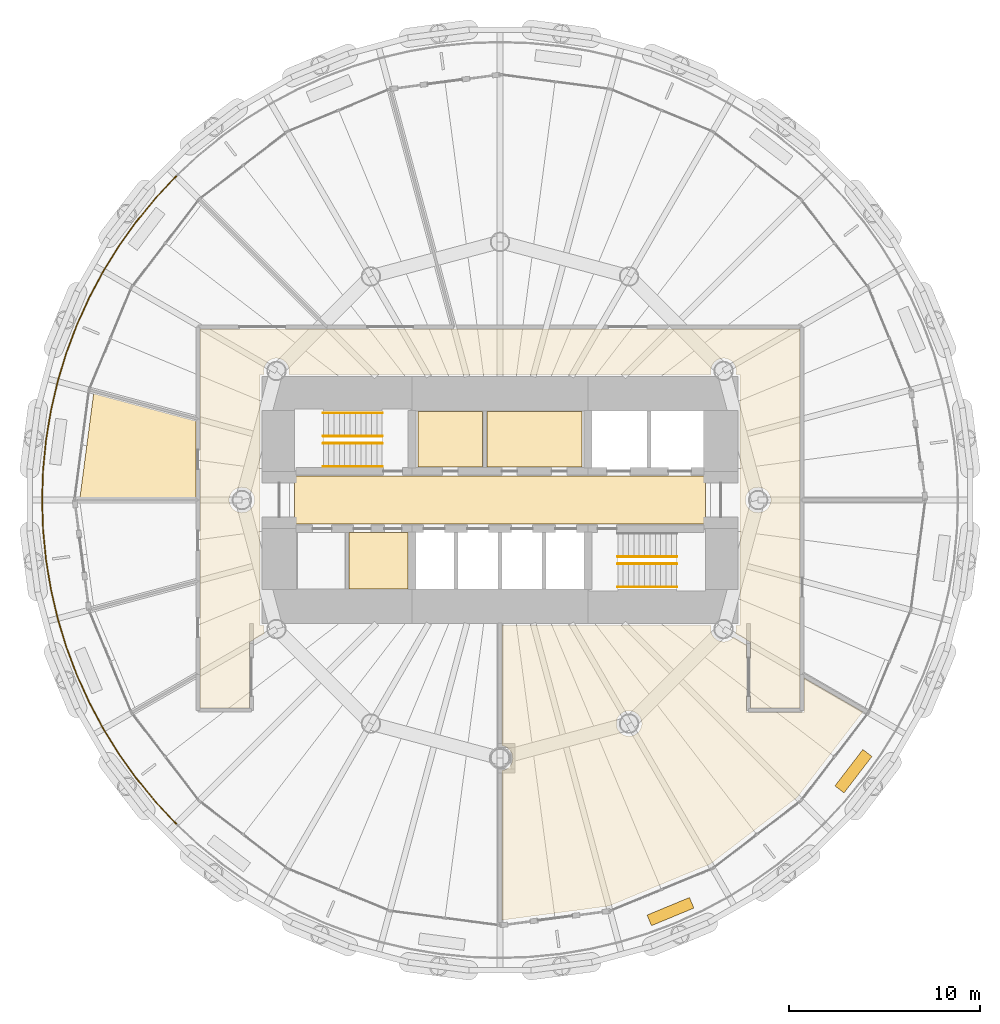
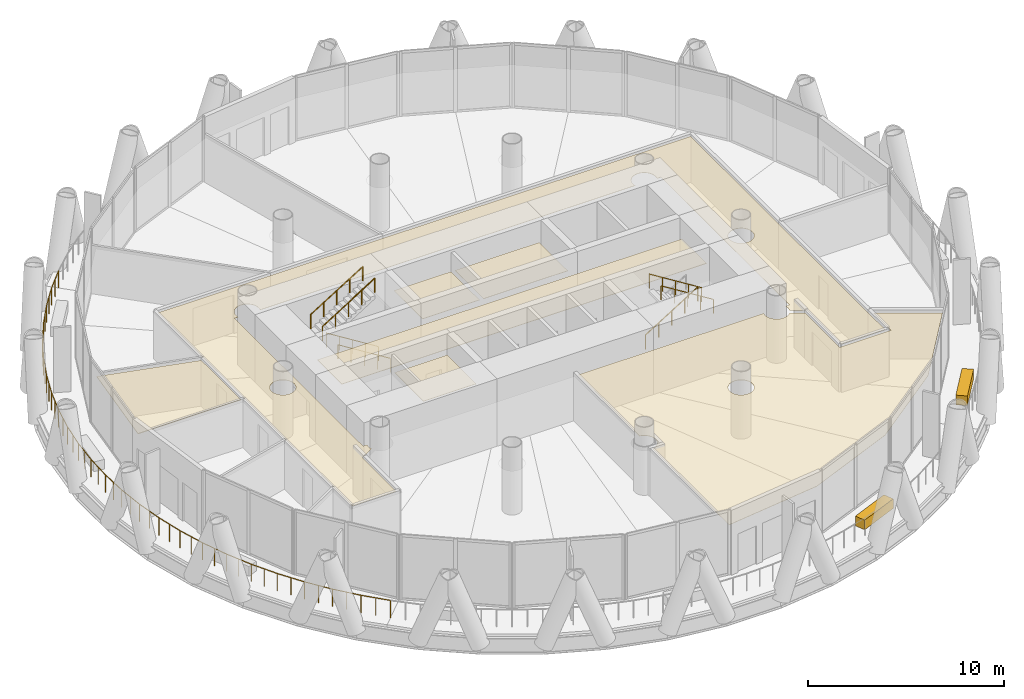
# One storey, part 13 of 15: 9 coverings, 8 railings.
"""IFC4 building model written with IfcOpenShell, lengths in metres."""

from ifc_helpers import new_model, si_unit, direction, frame, origin, origin_2d, place, context, subcontext, project, spatial, polyline, rectangle, circle, outline, extrude, material, layer, layer_set, type_object, element, save


model = new_model("IFC4")

# Units and contexts
model_context = context("Model", 3, precision=1e-05, world=origin(), true_north=direction((0.0, 1.0)))
body_context = subcontext(model_context, "Body", "Model", "MODEL_VIEW")
ifc_project = project(units=[si_unit("LENGTHUNIT", "METRE"), si_unit("AREAUNIT", "SQUARE_METRE"), si_unit("VOLUMEUNIT", "CUBIC_METRE"), si_unit("PLANEANGLEUNIT", "RADIAN"), si_unit("MASSUNIT", "GRAM", prefix="KILO")], contexts=[model_context])

# Site, building, storey
site_placement = place(None, origin())
site = spatial("IfcSite", under=ifc_project, at=site_placement, CompositionType="ELEMENT")
building_placement = place(site_placement, origin())
building = spatial("IfcBuilding", under=site, at=building_placement, Name="Qaws Media Tower", CompositionType="ELEMENT")
storey_placement = place(building_placement, frame((0.0, 0.0, 164.60009765625)))
storey = spatial("IfcBuildingStorey", under=building, at=storey_placement, Name="L37", CompositionType="ELEMENT", Elevation=164.60009765625)

# Covering
ifc_material_1 = material(Name="40 perforated acoustic panels with mineral wool backing, suspended", Category="mineral fibre")
ifc_layer_1 = layer(ifc_material_1, 0.0400390625)
ifc_layer_set_1 = layer_set([ifc_layer_1], Name="Acoustic panel ceiling 40")
covering_type_1 = type_object("IfcCoveringType", Name="Acoustic panel ceiling 40", PredefinedType="CEILING", material=ifc_layer_set_1)
covering_1_placement = place(storey_placement, frame((0.0, 0.0, 2.849853515625)))
element("IfcCovering", 1, at=covering_1_placement, inside=storey, type_object=covering_type_1, Name="CL3 ceiling L37-05 Interview room", PredefinedType="CEILING", context=body_context, shape_type="SweptSolid", body=[
    extrude(outline(polyline([(38.7490234375, 55.57763671875), (44.08740234375, 54.147216796875), (44.08740234375, 50.112548828125), (38.029541015625, 50.112548828125), (38.7490234375, 55.57763671875)])), origin(), (0.0, 0.0, 1.0), 0.0400390625),
])

# Railing
ifc_material_2 = material(Name="Stainless steel and glass guard", Category="steel")
railing_type_1 = type_object("IfcRailingType", Name="Balcony guard 1100", PredefinedType="GUARDRAIL", material=ifc_material_2)
railing_placement = place(storey_placement, frame((43.064697265625, 66.935302734375, 0.0)))
element("IfcRailing", 2, at=railing_placement, inside=storey, type_object=railing_type_1, Name="GR1 balcony guard L37-2", PredefinedType="GUARDRAIL", context=body_context, shape_type="SweptSolid", body=[
    extrude(circle(Radius=0.02392578125, at=origin_2d()), frame((0.0, 0.0, 1.076171875), z_axis=(-0.683516128369, -0.729935409649, 0.0), x_axis=(0.729935409649, -0.683516128369, 0.0)), (0.0, 0.0, 1.0), 1.5673828125),
    extrude(circle(Radius=0.02392578125, at=origin_2d()), frame((-1.0712890625, -1.14404296875, 1.076171875), z_axis=(-0.634373906107, -0.773026356116, 0.0), x_axis=(0.773026356116, -0.634373906107, 0.0)), (0.0, 0.0, 1.0), 1.567138671875),
    extrude(circle(Radius=0.02392578125, at=origin_2d()), frame((-2.0654296875, -2.35546875, 1.076171875), z_axis=(-0.582563534865, -0.812785167092, 0.0), x_axis=(0.812785167092, -0.582563534865, 0.0)), (0.0, 0.0, 1.0), 1.5673828125),
    extrude(circle(Radius=0.02392578125, at=origin_2d()), frame((-2.978515625, -3.62939453125, 1.076171875), z_axis=(-0.527994862412, -0.849247564181, 0.0), x_axis=(0.849247564181, -0.527994862412, 0.0)), (0.0, 0.0, 1.0), 1.567138671875),
    extrude(circle(Radius=0.02392578125, at=origin_2d()), frame((-3.805908203125, -4.960205078125, 1.076171875), z_axis=(-0.47134802653, -0.881947298815, 0.0), x_axis=(0.881947298815, -0.47134802653, 0.0)), (0.0, 0.0, 1.0), 1.5673828125),
    extrude(circle(Radius=0.02392578125, at=origin_2d()), frame((-4.544677734375, -6.342529296875, 1.076171875), z_axis=(-0.412805092431, -0.91081938696, 0.0), x_axis=(0.91081938696, -0.412805092431, 0.0)), (0.0, 0.0, 1.0), 1.567138671875),
    extrude(circle(Radius=0.02392578125, at=origin_2d()), frame((-5.191650390625, -7.77001953125, 1.076171875), z_axis=(-0.352215787853, -0.935918820618, 0.0), x_axis=(0.935918820618, -0.352215787853, 0.0)), (0.0, 0.0, 1.0), 1.567138671875),
    extrude(circle(Radius=0.02392578125, at=origin_2d()), frame((-5.74365234375, -9.23681640625, 1.076171875), z_axis=(-0.290361894495, -0.956916908736, 0.0), x_axis=(0.956916908736, -0.290361894495, 0.0)), (0.0, 0.0, 1.0), 1.5673828125),
    extrude(circle(Radius=0.02392578125, at=origin_2d()), frame((-6.19873046875, -10.736572265625, 1.076171875), z_axis=(-0.226963690422, -0.973903220669, 0.0), x_axis=(0.973903220669, -0.226963690422, 0.0)), (0.0, 0.0, 1.0), 1.5673828125),
    extrude(circle(Radius=0.02392578125, at=origin_2d()), frame((-6.554443359375, -12.262939453125, 1.076171875), z_axis=(-0.162958785639, -0.986632877104, 0.0), x_axis=(0.986632877104, -0.162958785639, 0.0)), (0.0, 0.0, 1.0), 1.567138671875),
    extrude(circle(Radius=0.02392578125, at=origin_2d()), frame((-6.809814453125, -13.80908203125, 1.076171875), z_axis=(-0.097976787054, -0.995188700297, 0.0), x_axis=(0.995188700297, -0.097976787054, 0.0)), (0.0, 0.0, 1.0), 1.5673828125),
    extrude(circle(Radius=0.02392578125, at=origin_2d()), frame((-6.96337890625, -15.368896484375, 1.076171875), z_axis=(-0.032713155255, -0.999464781507, 0.0), x_axis=(0.999464781507, -0.032713155255, 0.0)), (0.0, 0.0, 1.0), 1.567138671875),
    extrude(circle(Radius=0.02392578125, at=origin_2d()), frame((-7.0146484375, -16.935302734375, 1.076171875), z_axis=(0.032713155255, -0.999464781507, 0.0), x_axis=(0.999464781507, 0.032713155255, 0.0)), (0.0, 0.0, 1.0), 1.567138671875),
    extrude(circle(Radius=0.02392578125, at=origin_2d()), frame((-6.96337890625, -18.501708984375, 1.076171875), z_axis=(0.097976787054, -0.995188700297, 0.0), x_axis=(0.995188700297, 0.097976787054, 0.0)), (0.0, 0.0, 1.0), 1.5673828125),
    extrude(circle(Radius=0.02392578125, at=origin_2d()), frame((-6.809814453125, -20.0615234375, 1.076171875), z_axis=(0.162958785639, -0.986632877104, 0.0), x_axis=(0.986632877104, 0.162958785639, 0.0)), (0.0, 0.0, 1.0), 1.567138671875),
    extrude(circle(Radius=0.02392578125, at=origin_2d()), frame((-6.554443359375, -21.607666015625, 1.076171875), z_axis=(0.226963690422, -0.973903220669, 0.0), x_axis=(0.973903220669, 0.226963690422, 0.0)), (0.0, 0.0, 1.0), 1.5673828125),
    extrude(circle(Radius=0.02392578125, at=origin_2d()), frame((-6.19873046875, -23.134033203125, 1.076171875), z_axis=(0.290361894495, -0.956916908736, 0.0), x_axis=(0.956916908736, 0.290361894495, 0.0)), (0.0, 0.0, 1.0), 1.5673828125),
    extrude(circle(Radius=0.02392578125, at=origin_2d()), frame((-5.74365234375, -24.6337890625, 1.076171875), z_axis=(0.352215787853, -0.935918820618, 0.0), x_axis=(0.935918820618, 0.352215787853, 0.0)), (0.0, 0.0, 1.0), 1.567138671875),
    extrude(circle(Radius=0.02392578125, at=origin_2d()), frame((-5.191650390625, -26.1005859375, 1.076171875), z_axis=(0.412805092431, -0.91081938696, 0.0), x_axis=(0.91081938696, 0.412805092431, 0.0)), (0.0, 0.0, 1.0), 1.567138671875),
    extrude(circle(Radius=0.02392578125, at=origin_2d()), frame((-4.544677734375, -27.528076171875, 1.076171875), z_axis=(0.47134802653, -0.881947298815, 0.0), x_axis=(0.881947298815, 0.47134802653, 0.0)), (0.0, 0.0, 1.0), 1.5673828125),
    extrude(circle(Radius=0.02392578125, at=origin_2d()), frame((-3.805908203125, -28.910400390625, 1.076171875), z_axis=(0.527994862412, -0.849247564181, 0.0), x_axis=(0.849247564181, 0.527994862412, 0.0)), (0.0, 0.0, 1.0), 1.567138671875),
    extrude(circle(Radius=0.02392578125, at=origin_2d()), frame((-2.978515625, -30.2412109375, 1.076171875), z_axis=(0.582563534865, -0.812785167092, 0.0), x_axis=(0.812785167092, 0.582563534865, 0.0)), (0.0, 0.0, 1.0), 1.5673828125),
    extrude(circle(Radius=0.02392578125, at=origin_2d()), frame((-2.0654296875, -31.51513671875, 1.076171875), z_axis=(0.634373906107, -0.773026356116, 0.0), x_axis=(0.773026356116, 0.634373906107, 0.0)), (0.0, 0.0, 1.0), 1.567138671875),
    extrude(circle(Radius=0.02392578125, at=origin_2d()), frame((-1.0712890625, -32.7265625, 1.076171875), z_axis=(0.683516128369, -0.729935409649, 0.0), x_axis=(0.729935409649, 0.683516128369, 0.0)), (0.0, 0.0, 1.0), 1.5673828125),
    extrude(circle(Radius=0.02099609375, at=origin_2d()), origin(), (0.0, 0.0, 1.0), 1.052001953125),
    extrude(circle(Radius=0.02099609375, at=origin_2d()), frame((-0.53564453125, -0.572021484375, 0.0)), (0.0, 0.0, 1.0), 1.052001953125),
    extrude(circle(Radius=0.02099609375, at=origin_2d()), frame((-1.0712890625, -1.14404296875, 0.0)), (0.0, 0.0, 1.0), 1.052001953125),
    extrude(circle(Radius=0.02099609375, at=origin_2d()), frame((-1.568359375, -1.749755859375, 0.0)), (0.0, 0.0, 1.0), 1.052001953125),
    extrude(circle(Radius=0.02099609375, at=origin_2d()), frame((-2.0654296875, -2.35546875, 0.0)), (0.0, 0.0, 1.0), 1.052001953125),
    extrude(circle(Radius=0.02099609375, at=origin_2d()), frame((-2.52197265625, -2.992431640625, 0.0)), (0.0, 0.0, 1.0), 1.052001953125),
    extrude(circle(Radius=0.02099609375, at=origin_2d()), frame((-2.978515625, -3.62939453125, 0.0)), (0.0, 0.0, 1.0), 1.052001953125),
    extrude(circle(Radius=0.02099609375, at=origin_2d()), frame((-3.39208984375, -4.294921875, 0.0)), (0.0, 0.0, 1.0), 1.052001953125),
    extrude(circle(Radius=0.02099609375, at=origin_2d()), frame((-3.805908203125, -4.960205078125, 0.0)), (0.0, 0.0, 1.0), 1.052001953125),
    extrude(circle(Radius=0.02099609375, at=origin_2d()), frame((-4.17529296875, -5.6513671875, 0.0)), (0.0, 0.0, 1.0), 1.052001953125),
    extrude(circle(Radius=0.02099609375, at=origin_2d()), frame((-4.544677734375, -6.342529296875, 0.0)), (0.0, 0.0, 1.0), 1.052001953125),
    extrude(circle(Radius=0.02099609375, at=origin_2d()), frame((-4.8681640625, -7.05615234375, 0.0)), (0.0, 0.0, 1.0), 1.052001953125),
    extrude(circle(Radius=0.02099609375, at=origin_2d()), frame((-5.191650390625, -7.77001953125, 0.0)), (0.0, 0.0, 1.0), 1.052001953125),
    extrude(circle(Radius=0.02099609375, at=origin_2d()), frame((-5.4677734375, -8.50341796875, 0.0)), (0.0, 0.0, 1.0), 1.052001953125),
    extrude(circle(Radius=0.02099609375, at=origin_2d()), frame((-5.74365234375, -9.23681640625, 0.0)), (0.0, 0.0, 1.0), 1.052001953125),
    extrude(circle(Radius=0.02099609375, at=origin_2d()), frame((-5.97119140625, -9.98681640625, 0.0)), (0.0, 0.0, 1.0), 1.052001953125),
    extrude(circle(Radius=0.02099609375, at=origin_2d()), frame((-6.19873046875, -10.736572265625, 0.0)), (0.0, 0.0, 1.0), 1.052001953125),
    extrude(circle(Radius=0.02099609375, at=origin_2d()), frame((-6.37646484375, -11.499755859375, 0.0)), (0.0, 0.0, 1.0), 1.052001953125),
    extrude(circle(Radius=0.02099609375, at=origin_2d()), frame((-6.554443359375, -12.262939453125, 0.0)), (0.0, 0.0, 1.0), 1.052001953125),
    extrude(circle(Radius=0.02099609375, at=origin_2d()), frame((-6.68212890625, -13.0361328125, 0.0)), (0.0, 0.0, 1.0), 1.052001953125),
    extrude(circle(Radius=0.02099609375, at=origin_2d()), frame((-6.809814453125, -13.80908203125, 0.0)), (0.0, 0.0, 1.0), 1.052001953125),
    extrude(circle(Radius=0.02099609375, at=origin_2d()), frame((-6.88671875, -14.5888671875, 0.0)), (0.0, 0.0, 1.0), 1.052001953125),
    extrude(circle(Radius=0.02099609375, at=origin_2d()), frame((-6.96337890625, -15.368896484375, 0.0)), (0.0, 0.0, 1.0), 1.052001953125),
    extrude(circle(Radius=0.02099609375, at=origin_2d()), frame((-6.989013671875, -16.152099609375, 0.0)), (0.0, 0.0, 1.0), 1.052001953125),
    extrude(circle(Radius=0.02099609375, at=origin_2d()), frame((-7.0146484375, -16.935302734375, 0.0)), (0.0, 0.0, 1.0), 1.052001953125),
    extrude(circle(Radius=0.02099609375, at=origin_2d()), frame((-6.989013671875, -17.718505859375, 0.0)), (0.0, 0.0, 1.0), 1.052001953125),
    extrude(circle(Radius=0.02099609375, at=origin_2d()), frame((-6.96337890625, -18.501708984375, 0.0)), (0.0, 0.0, 1.0), 1.052001953125),
    extrude(circle(Radius=0.02099609375, at=origin_2d()), frame((-6.88671875, -19.28173828125, 0.0)), (0.0, 0.0, 1.0), 1.052001953125),
    extrude(circle(Radius=0.02099609375, at=origin_2d()), frame((-6.809814453125, -20.0615234375, 0.0)), (0.0, 0.0, 1.0), 1.052001953125),
    extrude(circle(Radius=0.02099609375, at=origin_2d()), frame((-6.68212890625, -20.83447265625, 0.0)), (0.0, 0.0, 1.0), 1.052001953125),
    extrude(circle(Radius=0.02099609375, at=origin_2d()), frame((-6.554443359375, -21.607666015625, 0.0)), (0.0, 0.0, 1.0), 1.052001953125),
    extrude(circle(Radius=0.02099609375, at=origin_2d()), frame((-6.37646484375, -22.370849609375, 0.0)), (0.0, 0.0, 1.0), 1.052001953125),
    extrude(circle(Radius=0.02099609375, at=origin_2d()), frame((-6.19873046875, -23.134033203125, 0.0)), (0.0, 0.0, 1.0), 1.052001953125),
    extrude(circle(Radius=0.02099609375, at=origin_2d()), frame((-5.97119140625, -23.8837890625, 0.0)), (0.0, 0.0, 1.0), 1.052001953125),
    extrude(circle(Radius=0.02099609375, at=origin_2d()), frame((-5.74365234375, -24.6337890625, 0.0)), (0.0, 0.0, 1.0), 1.052001953125),
    extrude(circle(Radius=0.02099609375, at=origin_2d()), frame((-5.4677734375, -25.3671875, 0.0)), (0.0, 0.0, 1.0), 1.052001953125),
    extrude(circle(Radius=0.02099609375, at=origin_2d()), frame((-5.191650390625, -26.1005859375, 0.0)), (0.0, 0.0, 1.0), 1.052001953125),
    extrude(circle(Radius=0.02099609375, at=origin_2d()), frame((-4.8681640625, -26.814453125, 0.0)), (0.0, 0.0, 1.0), 1.052001953125),
    extrude(circle(Radius=0.02099609375, at=origin_2d()), frame((-4.544677734375, -27.528076171875, 0.0)), (0.0, 0.0, 1.0), 1.052001953125),
    extrude(circle(Radius=0.02099609375, at=origin_2d()), frame((-4.17529296875, -28.21923828125, 0.0)), (0.0, 0.0, 1.0), 1.052001953125),
    extrude(circle(Radius=0.02099609375, at=origin_2d()), frame((-3.805908203125, -28.910400390625, 0.0)), (0.0, 0.0, 1.0), 1.052001953125),
    extrude(circle(Radius=0.02099609375, at=origin_2d()), frame((-3.39208984375, -29.57568359375, 0.0)), (0.0, 0.0, 1.0), 1.052001953125),
    extrude(circle(Radius=0.02099609375, at=origin_2d()), frame((-2.978515625, -30.2412109375, 0.0)), (0.0, 0.0, 1.0), 1.052001953125),
    extrude(circle(Radius=0.02099609375, at=origin_2d()), frame((-2.52197265625, -30.878173828125, 0.0)), (0.0, 0.0, 1.0), 1.052001953125),
    extrude(circle(Radius=0.02099609375, at=origin_2d()), frame((-2.0654296875, -31.51513671875, 0.0)), (0.0, 0.0, 1.0), 1.052001953125),
    extrude(circle(Radius=0.02099609375, at=origin_2d()), frame((-1.568359375, -32.120849609375, 0.0)), (0.0, 0.0, 1.0), 1.052001953125),
    extrude(circle(Radius=0.02099609375, at=origin_2d()), frame((-1.0712890625, -32.7265625, 0.0)), (0.0, 0.0, 1.0), 1.052001953125),
    extrude(circle(Radius=0.02099609375, at=origin_2d()), frame((-0.53564453125, -33.298583984375, 0.0)), (0.0, 0.0, 1.0), 1.052001953125),
    extrude(circle(Radius=0.02099609375, at=origin_2d()), frame((0.0, -33.87060546875, 0.0)), (0.0, 0.0, 1.0), 1.052001953125),
])

# Coverings
ifc_material_3 = material(Name="600 x 600 mineral fibre tiles in exposed grid, suspended", Category="mineral fibre")
ifc_layer_2 = layer(ifc_material_3, 0.02001953125)
ifc_layer_set_2 = layer_set([ifc_layer_2], Name="Mineral fibre tile ceiling 20")
covering_type_2 = type_object("IfcCoveringType", Name="Mineral fibre tile ceiling 20", PredefinedType="CEILING", material=ifc_layer_set_2)
covering_2_placement = place(storey_placement, frame((0.0, 0.0, 2.849853515625)))
element("IfcCovering", 3, at=covering_2_placement, inside=storey, type_object=covering_type_2, Name="CL1 ceiling L37-C07 Ladies toilets", PredefinedType="CEILING", context=body_context, shape_type="SweptSolid", body=[
    extrude(outline(polyline([(55.719970703125, 51.719970703125), (55.719970703125, 54.6298828125), (59.080078125, 54.6298828125), (59.080078125, 51.719970703125), (55.719970703125, 51.719970703125)])), origin(), (0.0, 0.0, 1.0), 0.02001953125),
])
covering_3_placement = place(storey_placement, frame((0.0, 0.0, 2.849853515625)))
element("IfcCovering", 4, at=covering_3_placement, inside=storey, type_object=covering_type_2, Name="CL1 ceiling L37-C08 Gents toilets", PredefinedType="CEILING", context=body_context, shape_type="SweptSolid", body=[
    extrude(outline(polyline([(59.320068359375, 51.719970703125), (59.320068359375, 54.6298828125), (64.280029296875, 54.6298828125), (64.280029296875, 51.719970703125), (59.320068359375, 51.719970703125)])), origin(), (0.0, 0.0, 1.0), 0.02001953125),
])
covering_4_placement = place(storey_placement, frame((0.0, 0.0, 2.849853515625)))
element("IfcCovering", 5, at=covering_4_placement, inside=storey, type_object=covering_type_2, Name="CL1 ceiling L37-01 Corridor", PredefinedType="CEILING", context=body_context, shape_type="SweptSolid", body=[
    extrude(outline(polyline([(44.3125, 39.112548828125), (44.3125, 58.9375), (75.6875, 58.9375), (75.6875, 39.112548828125), (73.112548828125, 39.112548828125), (73.112548828125, 42.559326171875), (72.31689453125, 43.018798828125), (72.336669921875, 43.0771484375), (72.353515625, 43.162841796875), (72.359375, 43.25), (72.353515625, 43.337158203125), (72.336669921875, 43.4228515625), (72.33154296875, 43.4375), (72.5625, 43.4375), (72.5625, 56.5625), (72.33154296875, 56.5625), (72.336669921875, 56.5771484375), (72.353515625, 56.662841796875), (72.359375, 56.75), (72.353515625, 56.837158203125), (72.336669921875, 56.9228515625), (72.30859375, 57.005615234375), (72.269775390625, 57.083984375), (72.22119140625, 57.15673828125), (72.163818359375, 57.222412109375), (72.097900390625, 57.280029296875), (72.025390625, 57.32861328125), (71.947021484375, 57.3671875), (71.8642578125, 57.395263671875), (71.778564453125, 57.412353515625), (71.69140625, 57.41796875), (71.604248046875, 57.412353515625), (71.5185546875, 57.395263671875), (71.435791015625, 57.3671875), (71.357421875, 57.32861328125), (71.28466796875, 57.280029296875), (71.218994140625, 57.222412109375), (71.161376953125, 57.15673828125), (71.11279296875, 57.083984375), (71.07421875, 57.005615234375), (71.046142578125, 56.9228515625), (71.029052734375, 56.837158203125), (71.023193359375, 56.75), (71.029052734375, 56.662841796875), (71.046142578125, 56.5771484375), (71.051025390625, 56.5625), (48.948974609375, 56.5625), (48.953857421875, 56.5771484375), (48.970947265625, 56.662841796875), (48.976806640625, 56.75), (48.970947265625, 56.837158203125), (48.953857421875, 56.9228515625), (48.92578125, 57.005615234375), (48.88720703125, 57.083984375), (48.838623046875, 57.15673828125), (48.781005859375, 57.222412109375), (48.71533203125, 57.280029296875), (48.642578125, 57.32861328125), (48.564208984375, 57.3671875), (48.4814453125, 57.395263671875), (48.395751953125, 57.412353515625), (48.30859375, 57.41796875), (48.221435546875, 57.412353515625), (48.1357421875, 57.395263671875), (48.052978515625, 57.3671875), (47.974609375, 57.32861328125), (47.902099609375, 57.280029296875), (47.836181640625, 57.222412109375), (47.77880859375, 57.15673828125), (47.730224609375, 57.083984375), (47.69140625, 57.005615234375), (47.663330078125, 56.9228515625), (47.646484375, 56.837158203125), (47.640625, 56.75), (47.646484375, 56.662841796875), (47.663330078125, 56.5771484375), (47.66845703125, 56.5625), (47.4375, 56.5625), (47.4375, 43.4375), (47.66845703125, 43.4375), (47.663330078125, 43.4228515625), (47.646484375, 43.337158203125), (47.640625, 43.25), (47.646484375, 43.162841796875), (47.663330078125, 43.0771484375), (47.68310546875, 43.018798828125), (46.887451171875, 42.559326171875), (46.887451171875, 39.112548828125), (44.3125, 39.112548828125)]), holes=[polyline([(47.1171875, 49.744384765625), (47.145263671875, 49.8271484375), (47.162353515625, 49.912841796875), (47.16796875, 50.0), (47.162353515625, 50.087158203125), (47.145263671875, 50.1728515625), (47.1171875, 50.255615234375), (47.07861328125, 50.333984375), (47.030029296875, 50.40673828125), (46.972412109375, 50.472412109375), (46.90673828125, 50.530029296875), (46.833984375, 50.57861328125), (46.755615234375, 50.6171875), (46.6728515625, 50.645263671875), (46.587158203125, 50.662353515625), (46.5, 50.66796875), (46.412841796875, 50.662353515625), (46.3271484375, 50.645263671875), (46.244384765625, 50.6171875), (46.166015625, 50.57861328125), (46.09326171875, 50.530029296875), (46.027587890625, 50.472412109375), (45.969970703125, 50.40673828125), (45.92138671875, 50.333984375), (45.8828125, 50.255615234375), (45.854736328125, 50.1728515625), (45.837646484375, 50.087158203125), (45.83203125, 50.0), (45.837646484375, 49.912841796875), (45.854736328125, 49.8271484375), (45.8828125, 49.744384765625), (45.92138671875, 49.666015625), (45.969970703125, 49.59326171875), (46.027587890625, 49.527587890625), (46.09326171875, 49.469970703125), (46.166015625, 49.42138671875), (46.244384765625, 49.3828125), (46.3271484375, 49.354736328125), (46.412841796875, 49.337646484375), (46.5, 49.33203125), (46.587158203125, 49.337646484375), (46.6728515625, 49.354736328125), (46.755615234375, 49.3828125), (46.833984375, 49.42138671875), (46.90673828125, 49.469970703125), (46.972412109375, 49.527587890625), (47.030029296875, 49.59326171875), (47.07861328125, 49.666015625), (47.1171875, 49.744384765625)]), polyline([(74.145263671875, 49.8271484375), (74.162353515625, 49.912841796875), (74.16796875, 50.0), (74.162353515625, 50.087158203125), (74.145263671875, 50.1728515625), (74.1171875, 50.255615234375), (74.07861328125, 50.333984375), (74.030029296875, 50.40673828125), (73.972412109375, 50.472412109375), (73.90673828125, 50.530029296875), (73.833984375, 50.57861328125), (73.755615234375, 50.6171875), (73.6728515625, 50.645263671875), (73.587158203125, 50.662353515625), (73.5, 50.66796875), (73.412841796875, 50.662353515625), (73.3271484375, 50.645263671875), (73.244384765625, 50.6171875), (73.166015625, 50.57861328125), (73.09326171875, 50.530029296875), (73.027587890625, 50.472412109375), (72.969970703125, 50.40673828125), (72.92138671875, 50.333984375), (72.8828125, 50.255615234375), (72.854736328125, 50.1728515625), (72.837646484375, 50.087158203125), (72.83203125, 50.0), (72.837646484375, 49.912841796875), (72.854736328125, 49.8271484375), (72.8828125, 49.744384765625), (72.92138671875, 49.666015625), (72.969970703125, 49.59326171875), (73.027587890625, 49.527587890625), (73.09326171875, 49.469970703125), (73.166015625, 49.42138671875), (73.244384765625, 49.3828125), (73.3271484375, 49.354736328125), (73.412841796875, 49.337646484375), (73.5, 49.33203125), (73.587158203125, 49.337646484375), (73.6728515625, 49.354736328125), (73.755615234375, 49.3828125), (73.833984375, 49.42138671875), (73.90673828125, 49.469970703125), (73.972412109375, 49.527587890625), (74.030029296875, 49.59326171875), (74.07861328125, 49.666015625), (74.1171875, 49.744384765625), (74.145263671875, 49.8271484375)])]), origin(), (0.0, 0.0, 1.0), 0.02001953125),
])
covering_5_placement = place(storey_placement, frame((0.0, 0.0, 2.849853515625)))
element("IfcCovering", 6, at=covering_5_placement, inside=storey, type_object=covering_type_2, Name="CL1 ceiling L37-09 HR office", PredefinedType="CEILING", context=body_context, shape_type="SweptSolid", body=[
    extrude(outline(polyline([(72.887451171875, 38.887451171875), (75.91259765625, 38.887451171875), (75.91259765625, 40.68310546875), (78.970703125, 38.91748046875), (75.5458984375, 34.4541015625), (70.99267578125, 30.960205078125), (65.690185546875, 28.763916015625), (60.112548828125, 28.029541015625), (60.112548828125, 35.8427734375), (60.1728515625, 35.854736328125), (60.255615234375, 35.8828125), (60.333984375, 35.92138671875), (60.40673828125, 35.969970703125), (60.472412109375, 36.027587890625), (60.530029296875, 36.09326171875), (60.57861328125, 36.166015625), (60.6171875, 36.244384765625), (60.645263671875, 36.3271484375), (60.662353515625, 36.412841796875), (60.66796875, 36.5), (60.662353515625, 36.587158203125), (60.645263671875, 36.6728515625), (60.6171875, 36.755615234375), (60.57861328125, 36.833984375), (60.530029296875, 36.90673828125), (60.472412109375, 36.972412109375), (60.40673828125, 37.030029296875), (60.333984375, 37.07861328125), (60.255615234375, 37.1171875), (60.1728515625, 37.145263671875), (60.112548828125, 37.1572265625), (60.112548828125, 43.4375), (71.051025390625, 43.4375), (71.046142578125, 43.4228515625), (71.029052734375, 43.337158203125), (71.023193359375, 43.25), (71.029052734375, 43.162841796875), (71.046142578125, 43.0771484375), (71.07421875, 42.994384765625), (71.11279296875, 42.916015625), (71.161376953125, 42.84326171875), (71.218994140625, 42.777587890625), (71.28466796875, 42.719970703125), (71.357421875, 42.67138671875), (71.435791015625, 42.6328125), (71.5185546875, 42.604736328125), (71.604248046875, 42.587646484375), (71.69140625, 42.58203125), (71.778564453125, 42.587646484375), (71.8642578125, 42.604736328125), (71.947021484375, 42.6328125), (72.025390625, 42.67138671875), (72.097900390625, 42.719970703125), (72.163818359375, 42.777587890625), (72.204345703125, 42.823974609375), (72.887451171875, 42.429443359375), (72.887451171875, 38.887451171875)]), holes=[polyline([(67.3671875, 38.052978515625), (67.395263671875, 38.1357421875), (67.412353515625, 38.221435546875), (67.41796875, 38.30859375), (67.412353515625, 38.395751953125), (67.395263671875, 38.4814453125), (67.3671875, 38.564208984375), (67.32861328125, 38.642578125), (67.280029296875, 38.71533203125), (67.222412109375, 38.781005859375), (67.15673828125, 38.838623046875), (67.083984375, 38.88720703125), (67.005615234375, 38.92578125), (66.9228515625, 38.953857421875), (66.837158203125, 38.970947265625), (66.75, 38.976806640625), (66.662841796875, 38.970947265625), (66.5771484375, 38.953857421875), (66.494384765625, 38.92578125), (66.416015625, 38.88720703125), (66.34326171875, 38.838623046875), (66.277587890625, 38.781005859375), (66.219970703125, 38.71533203125), (66.17138671875, 38.642578125), (66.1328125, 38.564208984375), (66.104736328125, 38.4814453125), (66.087646484375, 38.395751953125), (66.08203125, 38.30859375), (66.087646484375, 38.221435546875), (66.104736328125, 38.1357421875), (66.1328125, 38.052978515625), (66.17138671875, 37.974609375), (66.219970703125, 37.902099609375), (66.277587890625, 37.836181640625), (66.34326171875, 37.77880859375), (66.416015625, 37.730224609375), (66.494384765625, 37.69140625), (66.5771484375, 37.663330078125), (66.662841796875, 37.646484375), (66.75, 37.640625), (66.837158203125, 37.646484375), (66.9228515625, 37.663330078125), (67.005615234375, 37.69140625), (67.083984375, 37.730224609375), (67.15673828125, 37.77880859375), (67.222412109375, 37.836181640625), (67.280029296875, 37.902099609375), (67.32861328125, 37.974609375), (67.3671875, 38.052978515625)])]), origin(), (0.0, 0.0, 1.0), 0.02001953125),
])
covering_6_placement = place(storey_placement, frame((0.0, 0.0, 2.849853515625)))
element("IfcCovering", 7, at=covering_6_placement, inside=storey, type_object=covering_type_2, Name="CL1 ceiling L37-C05 Shower room", PredefinedType="CEILING", context=body_context, shape_type="SweptSolid", body=[
    extrude(outline(polyline([(52.10009765625, 45.35009765625), (52.10009765625, 48.300048828125), (55.199951171875, 48.300048828125), (55.199951171875, 45.35009765625), (52.10009765625, 45.35009765625)])), origin(), (0.0, 0.0, 1.0), 0.02001953125),
])
ifc_material_4 = material(Name="Precast concrete planter with trailing planting", Category="concrete")
ifc_layer_3 = layer(ifc_material_4, 0.60009765625)
ifc_layer_set_3 = layer_set([ifc_layer_3], Name="Planter 2400x600")
covering_type_3 = type_object("IfcCoveringType", Name="Planter 2400x600", PredefinedType="USERDEFINED", material=ifc_layer_set_3)
for number, where, z_axis, x_axis, name in (
    (8, (68.91650390625, 28.4736328125, -0.000244140625), (0.0, 0.0, 1.0), (0.923879532511, 0.382683432365, 0.0), "PL1 balcony planter L37-10"),
    (9, (78.485107421875, 35.81591796875, -0.000244140625), (0.0, 0.0, 1.0), (0.608761429009, 0.793353340291, 0.0), "PL1 balcony planter L37-11"),
):
    element("IfcCovering", number, at=place(storey_placement, frame(where, z_axis=z_axis, x_axis=x_axis)), inside=storey, type_object=covering_type_3, Name=name, ObjectType="PLANTER", PredefinedType="USERDEFINED", context=body_context, shape_type="SweptSolid", body=[
        extrude(rectangle(XDim=2.39990234375, YDim=0.60009765625, at=origin_2d()), origin(), (0.0, 0.0, 1.0), 0.60009765625),
    ])
ifc_material_5 = material(Name="Two layers 12.5 moisture-resistant plasterboard on suspended metal furring", Category="gypsum")
ifc_layer_4 = layer(ifc_material_5, 0.02490234375)
ifc_layer_set_4 = layer_set([ifc_layer_4], Name="Plasterboard ceiling 25")
covering_type_4 = type_object("IfcCoveringType", Name="Plasterboard ceiling 25", PredefinedType="CEILING", material=ifc_layer_set_4)
covering_7_placement = place(storey_placement, frame((0.0, 0.0, 2.849853515625)))
element("IfcCovering", 10, at=covering_7_placement, inside=storey, type_object=covering_type_4, Name="CL2 ceiling L37-C01 Lift lobby", PredefinedType="CEILING", context=body_context, shape_type="SweptSolid", body=[
    extrude(outline(polyline([(49.25, 48.75), (49.25, 51.25), (70.75, 51.25), (70.75, 48.75), (49.25, 48.75)])), origin(), (0.0, 0.0, 1.0), 0.025146484375),
])

# Railings
ifc_material_6 = material(Name="Steel tube handrail", Category="steel")
railing_type_2 = type_object("IfcRailingType", Name="Stair handrail 900", PredefinedType="HANDRAIL", material=ifc_material_6)
for number, where, name in (
    (11, (53.840087890625, 51.75, 0.1748046875), "HR1 handrail S1 flight 1 L37"),
    (12, (53.840087890625, 52.9599609375, 0.1748046875), "HR1 handrail S1 flight 1 L37"),
):
    element("IfcRailing", number, at=place(storey_placement, frame(where)), inside=storey, type_object=railing_type_2, Name=name, PredefinedType="HANDRAIL", context=body_context, shape_type="SweptSolid", body=[
        extrude(circle(Radius=0.02392578125, at=origin_2d()), frame((0.0, 0.0, 0.8759765625), z_axis=(-0.847998304005, 0.0, 0.529998940003), x_axis=(0.0, -1.0, 0.0)), (0.0, 0.0, 1.0), 3.632080078125),
        extrude(circle(Radius=0.02099609375, at=origin_2d()), origin(), (0.0, 0.0, 1.0), 0.851806640625),
        extrude(circle(Radius=0.02099609375, at=origin_2d()), frame((-0.77001953125, 0.0, 0.481201171875)), (0.0, 0.0, 1.0), 0.851806640625),
        extrude(circle(Radius=0.02099609375, at=origin_2d()), frame((-1.5400390625, 0.0, 0.96240234375)), (0.0, 0.0, 1.0), 0.851806640625),
        extrude(circle(Radius=0.02099609375, at=origin_2d()), frame((-2.31005859375, 0.0, 1.44384765625)), (0.0, 0.0, 1.0), 0.851806640625),
        extrude(circle(Radius=0.02099609375, at=origin_2d()), frame((-3.080078125, 0.0, 1.925048828125)), (0.0, 0.0, 1.0), 0.851806640625),
    ])
for number, where, name in (
    (13, (50.760009765625, 54.550048828125, 2.27490234375), "HR1 handrail S1 flight 2 L37"),
    (14, (50.760009765625, 53.340087890625, 2.27490234375), "HR1 handrail S1 flight 2 L37"),
    (15, (66.159912109375, 47.0400390625, 0.1748046875), "HR1 handrail S2 flight 1 L37"),
):
    element("IfcRailing", number, at=place(storey_placement, frame(where)), inside=storey, type_object=railing_type_2, Name=name, PredefinedType="HANDRAIL", context=body_context, shape_type="SweptSolid", body=[
        extrude(circle(Radius=0.02392578125, at=origin_2d()), frame((0.0, 0.0, 0.8759765625), z_axis=(0.847998304005, 0.0, 0.529998940003), x_axis=(0.0, 1.0, 0.0)), (0.0, 0.0, 1.0), 3.632080078125),
        extrude(circle(Radius=0.02099609375, at=origin_2d()), origin(), (0.0, 0.0, 1.0), 0.851806640625),
        extrude(circle(Radius=0.02099609375, at=origin_2d()), frame((0.77001953125, 0.0, 0.481201171875)), (0.0, 0.0, 1.0), 0.851806640625),
        extrude(circle(Radius=0.02099609375, at=origin_2d()), frame((1.5400390625, 0.0, 0.96240234375)), (0.0, 0.0, 1.0), 0.851806640625),
        extrude(circle(Radius=0.02099609375, at=origin_2d()), frame((2.31005859375, 0.0, 1.44384765625)), (0.0, 0.0, 1.0), 0.851806640625),
        extrude(circle(Radius=0.02099609375, at=origin_2d()), frame((3.080078125, 0.0, 1.925048828125)), (0.0, 0.0, 1.0), 0.851806640625),
    ])
for number, where, name in (
    (16, (69.239990234375, 45.449951171875, 2.27490234375), "HR1 handrail S2 flight 2 L37"),
    (17, (69.239990234375, 46.659912109375, 2.27490234375), "HR1 handrail S2 flight 2 L37"),
):
    element("IfcRailing", number, at=place(storey_placement, frame(where)), inside=storey, type_object=railing_type_2, Name=name, PredefinedType="HANDRAIL", context=body_context, shape_type="SweptSolid", body=[
        extrude(circle(Radius=0.02392578125, at=origin_2d()), frame((0.0, 0.0, 0.8759765625), z_axis=(-0.847998304005, 0.0, 0.529998940003), x_axis=(0.0, -1.0, 0.0)), (0.0, 0.0, 1.0), 3.632080078125),
        extrude(circle(Radius=0.02099609375, at=origin_2d()), origin(), (0.0, 0.0, 1.0), 0.851806640625),
        extrude(circle(Radius=0.02099609375, at=origin_2d()), frame((-0.77001953125, 0.0, 0.481201171875)), (0.0, 0.0, 1.0), 0.851806640625),
        extrude(circle(Radius=0.02099609375, at=origin_2d()), frame((-1.5400390625, 0.0, 0.96240234375)), (0.0, 0.0, 1.0), 0.851806640625),
        extrude(circle(Radius=0.02099609375, at=origin_2d()), frame((-2.31005859375, 0.0, 1.44384765625)), (0.0, 0.0, 1.0), 0.851806640625),
        extrude(circle(Radius=0.02099609375, at=origin_2d()), frame((-3.080078125, 0.0, 1.925048828125)), (0.0, 0.0, 1.0), 0.851806640625),
    ])

save(model, "model.ifc")
